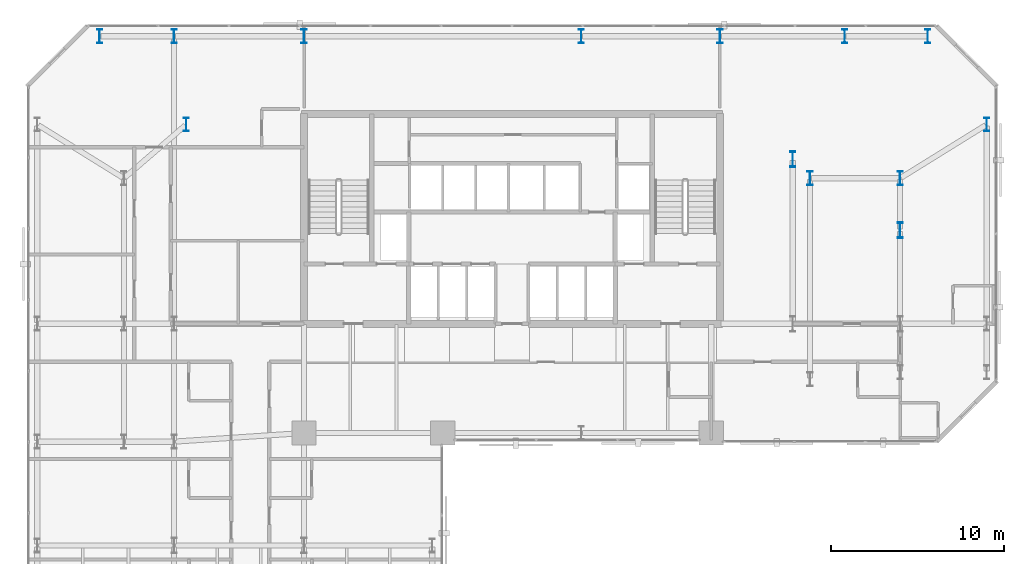
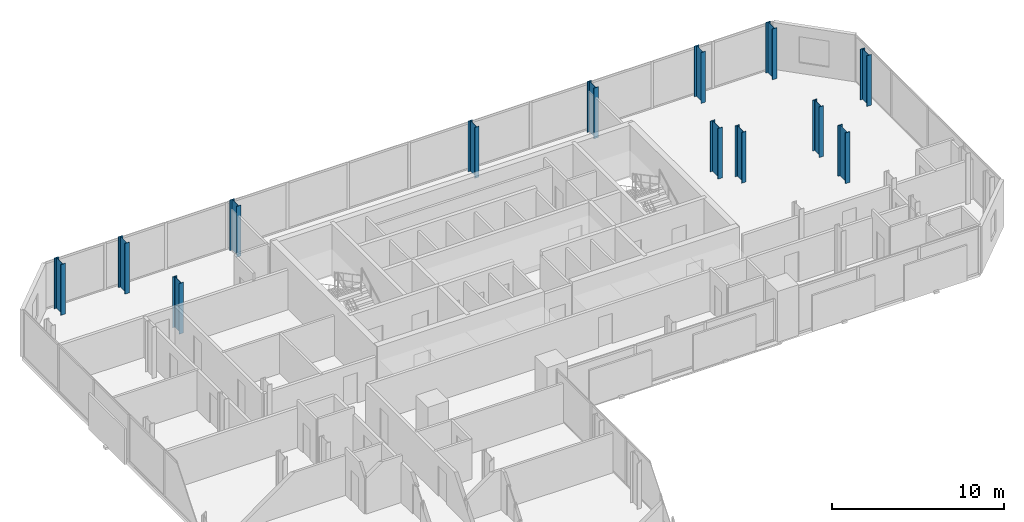
# One storey, part 2 of 33: 13 columns.
"""IFC4 building model written with IfcOpenShell, lengths in metres."""

from ifc_helpers import new_model, si_unit, direction, frame, origin, origin_2d, place, context, subcontext, project, spatial, i_section, extrude, material, material_profile, profile_set, type_object, element, save


model = new_model("IFC4")

# Units and contexts
model_context = context("Model", 3, precision=1e-05, world=origin(), true_north=direction((0.0, 1.0)))
body_context = subcontext(model_context, "Body", "Model", "MODEL_VIEW")
ifc_project = project(units=[si_unit("LENGTHUNIT", "METRE"), si_unit("AREAUNIT", "SQUARE_METRE"), si_unit("VOLUMEUNIT", "CUBIC_METRE"), si_unit("PLANEANGLEUNIT", "RADIAN"), si_unit("MASSUNIT", "GRAM", prefix="KILO")], contexts=[model_context])

# Site, building, storey
site_placement = place(None, origin())
site = spatial("IfcSite", under=ifc_project, at=site_placement, CompositionType="ELEMENT")
building_placement = place(site_placement, origin())
building = spatial("IfcBuilding", under=site, at=building_placement, Name="Catumbela Crestline Tower", CompositionType="ELEMENT")
storey_placement = place(building_placement, frame((0.0, 0.0, 72.6)))
storey = spatial("IfcBuildingStorey", under=building, at=storey_placement, Name="L18", CompositionType="ELEMENT", Elevation=72.6)

# Columns
ifc_material = material(Name="Structural steel S460M", Category="steel")
ifc_material_profile_1 = material_profile(ifc_material, i_section(OverallWidth=0.3, OverallDepth=0.8, WebThickness=0.0175, FlangeThickness=0.033, FilletRadius=0.03, at=origin_2d()), Name="HEB 800")
ifc_profile_set_1 = profile_set([ifc_material_profile_1], Name="Structural steel S460M")
column_type_1 = type_object("IfcColumnType", Name="C-ST-HEB800", PredefinedType="COLUMN", material=ifc_profile_set_1)
for number, where, z_axis, x_axis, name in (
    (1, (9.2, 42.3, 0.0), (0.0, 0.0, 1.0), (1.0, 0.0, 0.0), "L18 Column C-08-43 (HEB 800)"),
    (2, (45.2, 39.2, 0.0), (0.0, 0.0, 1.0), (1.0, 0.0, 0.0), "L18 Column C-46-43 (HEB 800)"),
    (3, (4.2, 47.4, 0.0), (0.0, 0.0, 1.0), (1.0, 0.0, 0.0), "L18 Column C-00-48 (HEB 800)"),
    (4, (8.5, 47.4, 0.0), (0.0, 0.0, 1.0), (1.0, 0.0, 0.0), "L18 Column C-08-48 (HEB 800)"),
    (5, (16.0, 47.4, 0.0), (0.0, 0.0, 1.0), (1.0, 0.0, 0.0), "L18 Column C-16-48 (HEB 800)"),
    (6, (32.0, 47.4, 0.0), (0.0, 0.0, 1.0), (1.0, 0.0, 0.0), "L18 Column C-32-48 (HEB 800)"),
    (7, (40.0, 47.4, 0.0), (0.0, 0.0, 1.0), (1.0, 0.0, 0.0), "L18 Column C-40-48 (HEB 800)"),
    (8, (47.2, 47.4, 0.0), (0.0, 0.0, 1.0), (1.0, 0.0, 0.0), "L18 Column C-48-48 (HEB 800)"),
    (9, (50.4, 39.2, 0.0), (0.0, 0.0, 1.0), (1.0, 0.0, 0.0), "L18 Column C-51-43 (HEB 800)"),
    (10, (55.4, 42.3, 0.0), (0.0, 0.0, 1.0), (1.0, 0.0, 0.0), "L18 Column C-56-43 (HEB 800)"),
    (11, (52.0, 47.4, 0.0), (0.0, 0.0, 1.0), (1.0, 0.0, 0.0), "L18 Column C-56-48 (HEB 800)"),
):
    element("IfcColumn", number, at=place(storey_placement, frame(where, z_axis=z_axis, x_axis=x_axis)), inside=storey, type_object=column_type_1, Name=name, PredefinedType="COLUMN", context=body_context, shape_type="SweptSolid", body=[
        extrude(i_section(OverallWidth=0.3, OverallDepth=0.8, WebThickness=0.0175, FlangeThickness=0.033, FilletRadius=0.03, at=origin_2d()), origin(), (0.0, 0.0, 1.0), 3.6),
    ])
ifc_material_profile_2 = material_profile(ifc_material, i_section(OverallWidth=0.3, OverallDepth=0.9, WebThickness=0.0185, FlangeThickness=0.035, FilletRadius=0.03, at=origin_2d()), Name="HEB 900")
ifc_profile_set_2 = profile_set([ifc_material_profile_2], Name="Structural steel S460M")
column_type_2 = type_object("IfcColumnType", Name="C-ST-HEB900", PredefinedType="COLUMN", material=ifc_profile_set_2)
for number, where, z_axis, x_axis, name in (
    (12, (44.2, 40.3, 0.0), (0.0, 0.0, 1.0), (1.0, 0.0, 0.0), "L18 Column CT-46-37 (HEB 900)"),
    (13, (50.4, 36.2, 0.0), (0.0, 0.0, 1.0), (1.0, 0.0, 0.0), "L18 Column CT-51-37 (HEB 900)"),
):
    element("IfcColumn", number, at=place(storey_placement, frame(where, z_axis=z_axis, x_axis=x_axis)), inside=storey, type_object=column_type_2, Name=name, PredefinedType="COLUMN", context=body_context, shape_type="SweptSolid", body=[
        extrude(i_section(OverallWidth=0.3, OverallDepth=0.9, WebThickness=0.0185, FlangeThickness=0.035, FilletRadius=0.03, at=origin_2d()), origin(), (0.0, 0.0, 1.0), 3.6),
    ])

save(model, "model.ifc")
